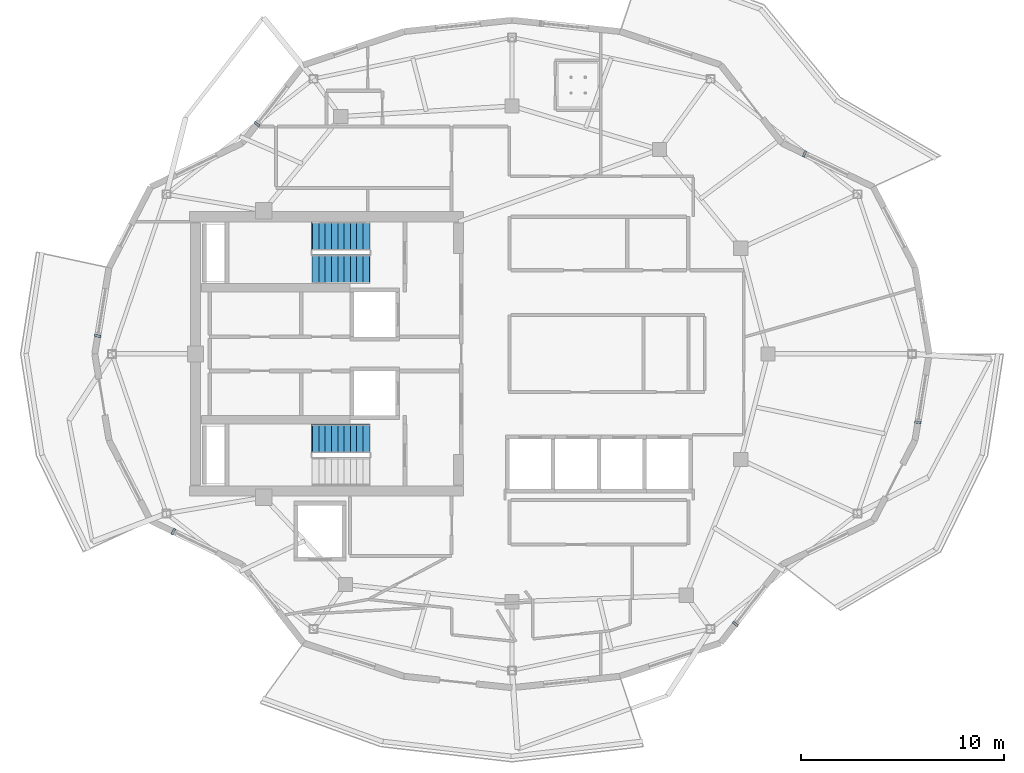
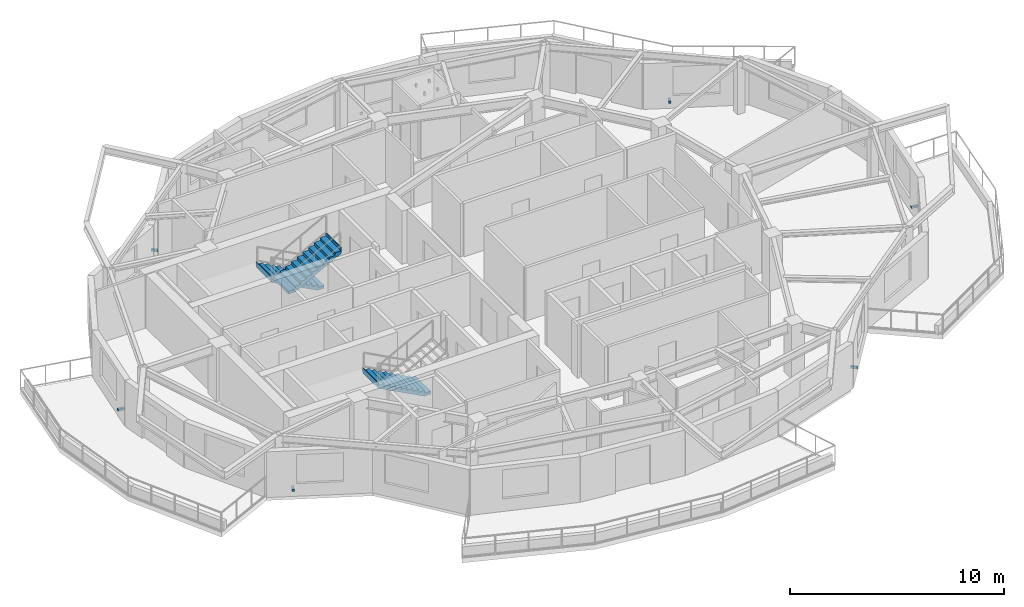
# One storey, part 7 of 11: 6 discrete accessories, 3 stair flights, 2 elements without a shape of their own.
"""IFC4 building model written with IfcOpenShell, lengths in metres."""

from ifc_helpers import new_model, si_unit, direction, frame, origin, origin_2d, place, context, subcontext, project, spatial, polyline, rectangle, outline, extrude, material, type_object, element, aggregate, save


model = new_model("IFC4")

# Units and contexts
model_context = context("Model", 3, precision=1e-05, world=origin(), true_north=direction((0.0, 1.0)))
body_context = subcontext(model_context, "Body", "Model", "MODEL_VIEW")
ifc_project = project(units=[si_unit("LENGTHUNIT", "METRE"), si_unit("AREAUNIT", "SQUARE_METRE"), si_unit("VOLUMEUNIT", "CUBIC_METRE"), si_unit("PLANEANGLEUNIT", "RADIAN"), si_unit("MASSUNIT", "GRAM", prefix="KILO")], contexts=[model_context])

# Site, building, storey
site_placement = place(None, origin())
site = spatial("IfcSite", under=ifc_project, at=site_placement, CompositionType="ELEMENT")
building_placement = place(site_placement, origin())
building = spatial("IfcBuilding", under=site, at=building_placement, Name="Kolvaren Gate Tower and Convention Centre", CompositionType="ELEMENT")
storey_placement = place(building_placement, frame((0.0, 0.0, 269.0)))
storey = spatial("IfcBuildingStorey", under=building, at=storey_placement, Name="L73", CompositionType="ELEMENT", Elevation=269.0)

# Stair, stair flights
ifc_material_1 = material(Name="Concrete C50/60", Category="concrete")
stair_type = type_object("IfcStairType", Name="STR-STAIR-CORE", PredefinedType="HALF_TURN_STAIR", material=ifc_material_1)
stair_1_placement = place(storey_placement, origin())
stair_1 = element("IfcStair", 1, at=stair_1_placement, inside=storey, type_object=stair_type, Name="L73 Tower North Exit Stair ST-T1", PredefinedType="HALF_TURN_STAIR")
stair_flight_type = type_object("IfcStairFlightType", Name="STR-SFL-1420", PredefinedType="STRAIGHT", material=ifc_material_1)
stair_flight_1_placement = place(storey_placement, frame((23.10009765625, 32.7900390625, 0.0), z_axis=(0.0, 0.0, 1.0), x_axis=(-1.0, 0.0, 0.0)))
stair_flight_1 = element("IfcStairFlight", 2, at=stair_flight_1_placement, type_object=stair_flight_type, Name="ST-T1 flight 1", NumberOfRisers=10, NumberOfTreads=9, PredefinedType="STRAIGHT", RiserHeight=0.165, TreadLength=0.31, context=body_context, shape_type="SweptSolid", body=[
    extrude(outline(polyline([(-0.034912109375, 0.0), (-0.034912109375, 0.1650390625), (0.31005859375, 0.1650390625), (0.31005859375, 0.330078125), (0.6201171875, 0.330078125), (0.6201171875, 0.4951171875), (0.929931640625, 0.4951171875), (0.929931640625, 0.659912109375), (1.239990234375, 0.659912109375), (1.239990234375, 0.824951171875), (1.550048828125, 0.824951171875), (1.550048828125, 0.989990234375), (1.860107421875, 0.989990234375), (1.860107421875, 1.155029296875), (2.169921875, 1.155029296875), (2.169921875, 1.320068359375), (2.47998046875, 1.320068359375), (2.47998046875, 1.485107421875), (2.7900390625, 1.485107421875), (2.7900390625, 1.64990234375), (2.8349609375, 1.64990234375), (2.8349609375, 1.489990234375), (2.7900390625, 1.315185546875), (0.319091796875, 0.0), (-0.034912109375, 0.0)])), frame((0.0, 0.7099609375, 0.0), z_axis=(0.0, -1.0, 0.0), x_axis=(1.0, 0.0, 0.0)), (0.0, 0.0, 1.0), 1.419921875),
])
stair_flight_2_placement = place(storey_placement, frame((20.31005859375, 31.169921875, 1.64990234375), z_axis=(0.0, 0.0, 1.0), x_axis=(1.0, 0.0, 0.0)))
stair_flight_2 = element("IfcStairFlight", 3, at=stair_flight_2_placement, type_object=stair_flight_type, Name="ST-T1 flight 2", NumberOfRisers=10, NumberOfTreads=9, PredefinedType="STRAIGHT", RiserHeight=0.165, TreadLength=0.31, context=body_context, shape_type="SweptSolid", body=[
    extrude(outline(polyline([(-0.034912109375, 0.0), (-0.034912109375, 0.1650390625), (0.31005859375, 0.1650390625), (0.31005859375, 0.330078125), (0.6201171875, 0.330078125), (0.6201171875, 0.4951171875), (0.929931640625, 0.4951171875), (0.929931640625, 0.659912109375), (1.239990234375, 0.659912109375), (1.239990234375, 0.824951171875), (1.550048828125, 0.824951171875), (1.550048828125, 0.989990234375), (1.860107421875, 0.989990234375), (1.860107421875, 1.155029296875), (2.169921875, 1.155029296875), (2.169921875, 1.320068359375), (2.47998046875, 1.320068359375), (2.47998046875, 1.485107421875), (2.7900390625, 1.485107421875), (2.7900390625, 1.64990234375), (2.8349609375, 1.64990234375), (2.8349609375, 1.489990234375), (2.7900390625, 1.315185546875), (0.319091796875, 0.0), (-0.034912109375, 0.0)])), frame((0.0, 0.7099609375, 0.0), z_axis=(0.0, -1.0, 0.0), x_axis=(1.0, 0.0, 0.0)), (0.0, 0.0, 1.0), 1.419921875),
])
aggregate(stair_1, [stair_flight_1, stair_flight_2])

# Stair, stair flight
stair_2_placement = place(storey_placement, origin())
stair_2 = element("IfcStair", 4, at=stair_2_placement, inside=storey, type_object=stair_type, Name="L73 Tower South Exit Stair ST-T2", PredefinedType="HALF_TURN_STAIR")
stair_flight_3_placement = place(storey_placement, frame((23.10009765625, 22.830078125, 0.0), z_axis=(0.0, 0.0, 1.0), x_axis=(-1.0, 0.0, 0.0)))
stair_flight_3 = element("IfcStairFlight", 5, at=stair_flight_3_placement, type_object=stair_flight_type, Name="ST-T2 flight 1", NumberOfRisers=10, NumberOfTreads=9, PredefinedType="STRAIGHT", RiserHeight=0.165, TreadLength=0.31, context=body_context, shape_type="SweptSolid", body=[
    extrude(outline(polyline([(-0.034912109375, 0.0), (-0.034912109375, 0.1650390625), (0.31005859375, 0.1650390625), (0.31005859375, 0.330078125), (0.6201171875, 0.330078125), (0.6201171875, 0.4951171875), (0.929931640625, 0.4951171875), (0.929931640625, 0.659912109375), (1.239990234375, 0.659912109375), (1.239990234375, 0.824951171875), (1.550048828125, 0.824951171875), (1.550048828125, 0.989990234375), (1.860107421875, 0.989990234375), (1.860107421875, 1.155029296875), (2.169921875, 1.155029296875), (2.169921875, 1.320068359375), (2.47998046875, 1.320068359375), (2.47998046875, 1.485107421875), (2.7900390625, 1.485107421875), (2.7900390625, 1.64990234375), (2.8349609375, 1.64990234375), (2.8349609375, 1.489990234375), (2.7900390625, 1.315185546875), (0.319091796875, 0.0), (-0.034912109375, 0.0)])), frame((0.0, 0.7099609375, 0.0), z_axis=(0.0, -1.0, 0.0), x_axis=(1.0, 0.0, 0.0)), (0.0, 0.0, 1.0), 1.419921875),
])
aggregate(stair_2, [stair_flight_3])

# Discrete accessories
ifc_material_2 = material(Name="Anodized Architectural Aluminium Alloy 6063-T6", Category="aluminium")
discrete_accessory_type = type_object("IfcDiscreteAccessoryType", Name="ARCH-ACC-BRACKET-120", PredefinedType="BRACKET", material=ifc_material_2)
for number, where, z_axis, x_axis, name in (
    (6, (44.518798828125, 36.839599609375, 0.2900390625), (0.0, 0.0, 1.0), (0.901356122373, -0.433078677218, 0.0), "Ceramic Fin Wall Anchor Bracket FBK-L73-02"),
    (7, (17.575927734375, 38.3076171875, 0.2900390625), (0.0, 0.0, 1.0), (0.616429996253, 0.787409715281, 0.0), "Ceramic Fin Wall Anchor Bracket FBK-L73-08"),
    (8, (9.739013671875, 27.882080078125, 0.2900390625), (0.0, 0.0, 1.0), (0.162385734509, 0.986727355062, 0.0), "Ceramic Fin Wall Anchor Bracket FBK-L73-11"),
    (9, (13.45947265625, 18.251708984375, 0.2900390625), (0.0, 0.0, 1.0), (0.901356122373, -0.433078677218, 0.0), "Ceramic Fin Wall Anchor Bracket FBK-L73-14"),
    (10, (41.12060546875, 13.707763671875, 0.2900390625), (0.0, 0.0, 1.0), (0.616429996253, 0.787409715281, 0.0), "Ceramic Fin Wall Anchor Bracket FBK-L73-20"),
    (11, (50.101806640625, 23.631103515625, 0.2900390625), (0.0, 0.0, 1.0), (0.162385734509, 0.986727355062, 0.0), "Ceramic Fin Wall Anchor Bracket FBK-L73-23"),
):
    element("IfcDiscreteAccessory", number, at=place(storey_placement, frame(where, z_axis=z_axis, x_axis=x_axis)), inside=storey, type_object=discrete_accessory_type, Name=name, PredefinedType="BRACKET", context=body_context, shape_type="SweptSolid", body=[
        extrude(rectangle(XDim=0.1201171875, YDim=0.320068359375, at=origin_2d()), origin(), (0.0, 0.0, 1.0), 0.1201171875),
    ])

save(model, "model.ifc")
